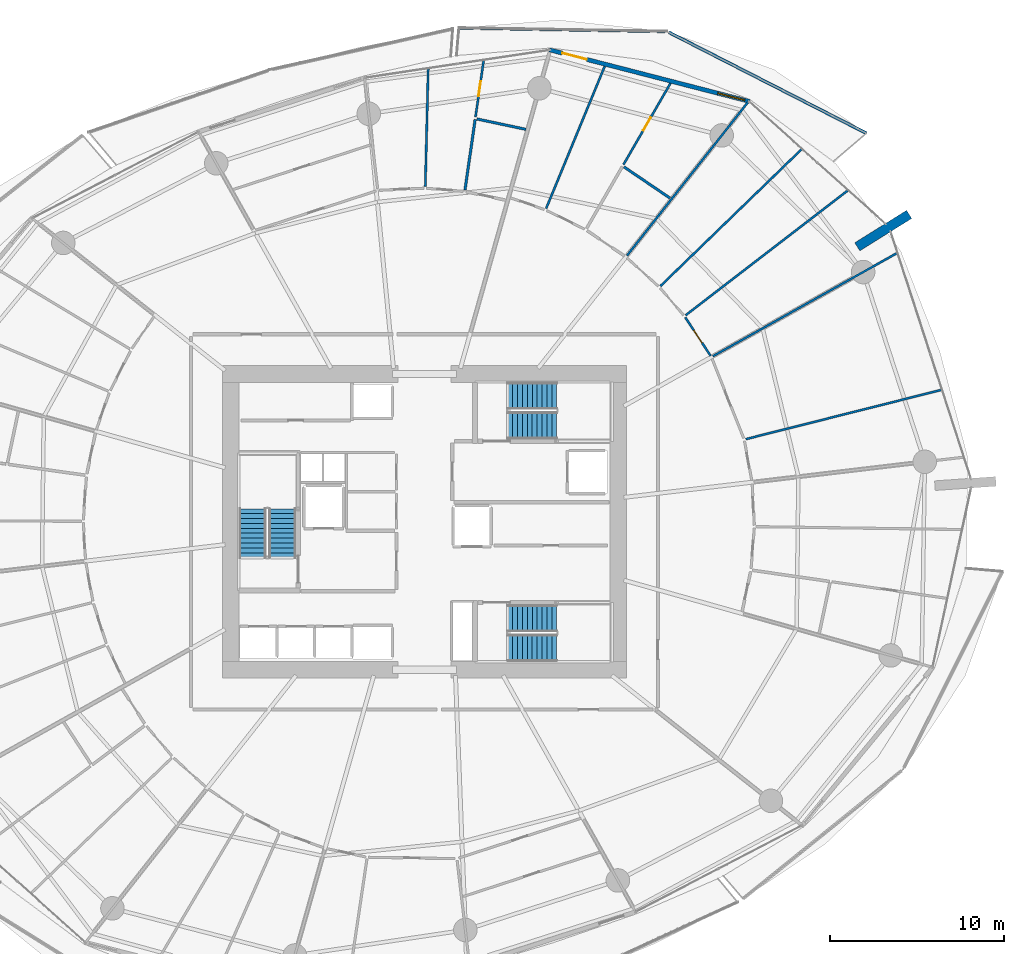
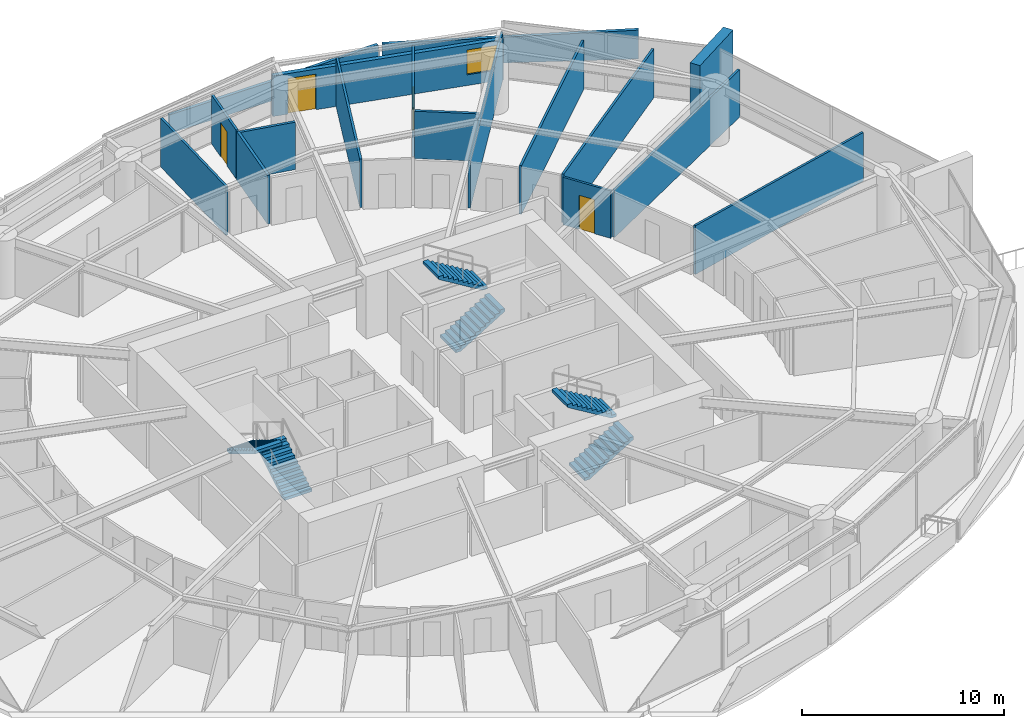
# One storey, part 24 of 31: 17 walls, 6 stair flights, 4 doors, 1 window, 5 openings, 3 elements without a shape of their own.
"""IFC4 building model written with IfcOpenShell, lengths in metres."""

from ifc_helpers import new_model, si_unit, direction, frame, frame_2d, origin, place, context, subcontext, project, spatial, polyline, rectangle, outline, extrude, material, layer, layer_set, type_object, element, fill, aggregate, save


model = new_model("IFC4")

# Units and contexts
model_context = context("Model", 3, precision=1e-05, world=origin(), true_north=direction((0.0, 1.0)))
body_context = subcontext(model_context, "Body", "Model", "MODEL_VIEW")
ifc_project = project(units=[si_unit("LENGTHUNIT", "METRE"), si_unit("AREAUNIT", "SQUARE_METRE"), si_unit("VOLUMEUNIT", "CUBIC_METRE"), si_unit("PLANEANGLEUNIT", "RADIAN"), si_unit("MASSUNIT", "GRAM", prefix="KILO")], contexts=[model_context])

# Site, building, storey
site_placement = place(None, origin())
site = spatial("IfcSite", under=ifc_project, at=site_placement, CompositionType="ELEMENT")
building_placement = place(site_placement, origin())
building = spatial("IfcBuilding", under=site, at=building_placement, Name="Kazma Halo Residences", CompositionType="ELEMENT")
storey_placement = place(building_placement, frame((0.0, 0.0, 48.89990234375)))
storey = spatial("IfcBuildingStorey", under=building, at=storey_placement, Name="L11", CompositionType="ELEMENT", Elevation=48.89990234375)

# Walls
ifc_material_1 = material(Name="White Concrete C50/60 Balustrade", Category="concrete")
ifc_layer_1 = layer(ifc_material_1, 0.179931640625)
ifc_layer_set_1 = layer_set([ifc_layer_1], Name="White Concrete C50/60 Balustrade")
wall_type_1 = type_object("IfcWallType", Name="WL-BAL-WAVE-180", PredefinedType="PARAPET", material=ifc_layer_set_1)
wall_1_placement = place(storey_placement, frame((73.753662109375, 64.269287109375, 0.0), z_axis=(0.0, 0.0, 1.0), x_axis=(-0.890402176463, 0.455174652359, 0.0)))
element("IfcWall", 1, at=wall_1_placement, inside=storey, type_object=wall_type_1, Name="L11 white wave balustrade wall NE.1", PredefinedType="PARAPET", context=body_context, shape_type="SweptSolid", body=[
    extrude(outline(polyline([(0.0, 0.0), (12.716796875, 0.0), (12.716796875, 1.34814453125), (6.3583984375, 1.56201171875), (0.0, 1.7470703125), (0.0, 0.0)])), frame((0.0, 0.08984375, 0.0), z_axis=(0.0, -1.0, 0.0), x_axis=(1.0, 0.0, 0.0)), (0.0, 0.0, 1.0), 0.179931640625),
])
wall_2_placement = place(storey_placement, frame((62.203857421875, 70.1142578125, 0.0), z_axis=(0.0, 0.0, 1.0), x_axis=(-0.999855793441, 0.016982117721, 0.0)))
element("IfcWall", 2, at=wall_2_placement, inside=storey, type_object=wall_type_1, Name="L11 white wave balustrade wall NE.2", PredefinedType="PARAPET", context=body_context, shape_type="SweptSolid", body=[
    extrude(outline(polyline([(0.0, 0.0), (11.802978515625, 0.0), (11.802978515625, 1.1201171875), (5.901611328125, 1.18212890625), (0.0, 1.34814453125), (0.0, 0.0)])), frame((0.0, 0.08984375, 0.0), z_axis=(0.0, -1.0, 0.0), x_axis=(1.0, 0.0, 0.0)), (0.0, 0.0, 1.0), 0.179931640625),
])
ifc_material_2 = material(Name="Pale Concrete C60/75", Category="concrete")
ifc_layer_2 = layer(ifc_material_2, 0.550048828125)
ifc_layer_set_2 = layer_set([ifc_layer_2], Name="Pale Concrete C60/75")
wall_type_2 = type_object("IfcWallType", Name="WL-BLADE-550", PredefinedType="SOLIDWALL", material=ifc_layer_set_2)
wall_3_placement = place(storey_placement, frame((73.229736328125, 57.765380859375, 0.0), z_axis=(0.0, 0.0, 1.0), x_axis=(0.848053161125, 0.529911158502, 0.0)))
element("IfcWall", 3, at=wall_3_placement, inside=storey, type_object=wall_type_2, Name="L11 pale concrete structural blade fin wall BW-01", PredefinedType="SOLIDWALL", context=body_context, shape_type="SweptSolid", body=[
    extrude(rectangle(XDim=3.5, YDim=0.550048828125, at=frame_2d((1.75, 0.0))), origin(), (0.0, 0.0, 1.0), 3.75),
])

# Wall, openings, door, window
ifc_material_3 = material(Name="Insulated Pale-Metal Composite Wall")
ifc_layer_3 = layer(ifc_material_3, 0.239990234375)
ifc_layer_set_3 = layer_set([ifc_layer_3], Name="Insulated Pale-Metal Composite Wall")
wall_type_3 = type_object("IfcWallType", Name="WL-EXT-HOST-240", PredefinedType="SOLIDWALL", material=ifc_layer_set_3)
wall_4_placement = place(storey_placement, frame((67.05419921875, 66.09619140625, 0.0), z_axis=(0.0, 0.0, 1.0), x_axis=(-0.96833871487, 0.249640007378, 0.0)))
wall_4 = element("IfcWall", 4, at=wall_4_placement, inside=storey, type_object=wall_type_3, Name="L11 exterior terrace-access wall B02", PredefinedType="SOLIDWALL", context=body_context, shape_type="SweptSolid", body=[
    extrude(rectangle(XDim=11.85107421875, YDim=0.239990234375, at=frame_2d((5.925537109375, 0.0))), origin(), (0.0, 0.0, 1.0), 2.4501953125),
])
opening_1_placement = place(wall_4_placement, frame((9.631103515625, 0.0, 0.0)))
opening_1 = element("IfcOpeningElement", 5, at=opening_1_placement, cuts=wall_4, Name="Opening DTR-1600", PredefinedType="OPENING", context=body_context, shape_type="SweptSolid", body=[
    extrude(rectangle(XDim=1.449951171875, YDim=2.14990234375, at=frame_2d((0.72509765625, 1.074951171875))), frame((0.0, 0.1298828125, 0.0), z_axis=(0.0, -1.0, 0.0), x_axis=(1.0, 0.0, 0.0)), (0.0, 0.0, 1.0), 0.260009765625),
])
opening_2_placement = place(wall_4_placement, frame((0.280029296875, 0.0, 0.64990234375)))
opening_2 = element("IfcOpeningElement", 6, at=opening_2_placement, cuts=wall_4, Name="Opening W-1800", PredefinedType="OPENING", context=body_context, shape_type="SweptSolid", body=[
    extrude(rectangle(XDim=1.60009765625, YDim=1.5, at=frame_2d((0.800048828125, 0.75))), frame((0.0, 0.1298828125, 0.0), z_axis=(0.0, -1.0, 0.0), x_axis=(1.0, 0.0, 0.0)), (0.0, 0.0, 1.0), 0.260009765625),
])
ifc_material_4 = material(Name="Aluminium AW-6063 T6 Double-Glazed Terrace Door", Category="aluminium")
door_type_1 = type_object("IfcDoorType", Name="DR-EXT-TERR-1600", OperationType="NOTDEFINED", PredefinedType="DOOR", material=ifc_material_4)
door_1_placement = place(opening_1_placement, origin())
door_1 = element("IfcDoor", 7, at=door_1_placement, inside=storey, type_object=door_type_1, Name="L11 B02 balcony terrace door", OperationType="DOUBLE_DOOR_SLIDING", OverallHeight=2.14990234375, OverallWidth=1.449951171875, PredefinedType="DOOR", context=body_context, shape_type="SweptSolid", body=[
    extrude(rectangle(XDim=1.449951171875, YDim=2.14990234375, at=frame_2d((0.72509765625, 1.074951171875))), frame((0.0, 0.02490234375, 0.0), z_axis=(0.0, -1.0, 0.0), x_axis=(1.0, 0.0, 0.0)), (0.0, 0.0, 1.0), 0.050048828125),
])
fill(opening_1, door_1)
ifc_material_5 = material(Name="Clear Triple-Silver Low-E Glass in Aluminium AW-6063 T6 Frame", Category="aluminium")
window_type = type_object("IfcWindowType", Name="WIN-RES-1800", PartitioningType="DOUBLE_PANEL_VERTICAL", PredefinedType="WINDOW", material=ifc_material_5)
window_placement = place(opening_2_placement, origin())
window = element("IfcWindow", 8, at=window_placement, inside=storey, type_object=window_type, Name="L11 B02 apartment window", OverallHeight=1.5, OverallWidth=1.60009765625, PartitioningType="SINGLE_PANEL", PredefinedType="WINDOW", context=body_context, shape_type="SweptSolid", body=[
    extrude(rectangle(XDim=1.60009765625, YDim=1.5, at=frame_2d((0.800048828125, 0.75))), frame((0.0, 0.030029296875, 0.0), z_axis=(0.0, -1.0, 0.0), x_axis=(1.0, 0.0, 0.0)), (0.0, 0.0, 1.0), 0.06005859375),
])
fill(opening_2, window)

# Wall, opening, door
ifc_material_6 = material(Name="Gypsum Plasterboard Partition")
ifc_layer_4 = layer(ifc_material_6, 0.125)
ifc_layer_set_4 = layer_set([ifc_layer_4], Name="Gypsum Plasterboard Partition")
wall_type_4 = type_object("IfcWallType", Name="WL-PART-125", PredefinedType="PARTITIONING", material=ifc_layer_set_4)
wall_5_placement = place(storey_placement, frame((51.348388671875, 65.19970703125, 0.0), z_axis=(0.0, 0.0, 1.0), x_axis=(0.142797074678, 0.989751986845, 0.0)))
wall_5 = element("IfcWall", 9, at=wall_5_placement, inside=storey, type_object=wall_type_4, Name="L11 Apartment 1 Utility Laundry Room partition wall", PredefinedType="PARTITIONING", context=body_context, shape_type="SweptSolid", body=[
    extrude(rectangle(XDim=3.279296875, YDim=0.125, at=frame_2d((1.6396484375, 0.0))), origin(), (0.0, 0.0, 1.0), 2.940185546875),
])
opening_3_placement = place(wall_5_placement, frame((1.214599609375, 0.0, 0.0)))
opening_3 = element("IfcOpeningElement", 10, at=opening_3_placement, cuts=wall_5, Name="Opening DB-900", PredefinedType="OPENING", context=body_context, shape_type="SweptSolid", body=[
    extrude(rectangle(XDim=0.85009765625, YDim=2.06005859375, at=frame_2d((0.425048828125, 1.030029296875))), frame((0.0, 0.072509765625, 0.0), z_axis=(0.0, -1.0, 0.0), x_axis=(1.0, 0.0, 0.0)), (0.0, 0.0, 1.0), 0.14501953125),
])
ifc_material_7 = material(Name="Moisture-Sealed Timber Leaf", Category="wood")
door_type_2 = type_object("IfcDoorType", Name="DR-BTH-900", OperationType="NOTDEFINED", PredefinedType="DOOR", material=ifc_material_7)
door_2_placement = place(opening_3_placement, origin())
door_2 = element("IfcDoor", 11, at=door_2_placement, inside=storey, type_object=door_type_2, Name="L11 Apartment 1 Utility Laundry Room door", OperationType="SINGLE_SWING_LEFT", OverallHeight=2.06005859375, OverallWidth=0.85009765625, PredefinedType="DOOR", context=body_context, shape_type="SweptSolid", body=[
    extrude(rectangle(XDim=0.85009765625, YDim=2.06005859375, at=frame_2d((0.425048828125, 1.030029296875))), frame((0.0, 0.02490234375, 0.0), z_axis=(0.0, -1.0, 0.0), x_axis=(1.0, 0.0, 0.0)), (0.0, 0.0, 1.0), 0.050048828125),
])
fill(opening_3, door_2)

# Walls
wall_6_placement = place(storey_placement, frame((48.47119140625, 61.21435546875, 0.0), z_axis=(0.0, 0.0, 1.0), x_axis=(0.024507226547, 0.999699652819, 0.0)))
element("IfcWall", 12, at=wall_6_placement, inside=storey, type_object=wall_type_4, Name="L11 Apartment 1 suite divider 2", PredefinedType="PARTITIONING", context=body_context, shape_type="SweptSolid", body=[
    extrude(rectangle(XDim=6.754150390625, YDim=0.125, at=frame_2d((3.376953125, 0.0))), origin(), (0.0, 0.0, 1.0), 2.940185546875),
])
wall_7_placement = place(storey_placement, frame((66.83544921875, 46.74169921875, 0.0), z_axis=(0.0, 0.0, 1.0), x_axis=(0.96974434054, 0.244122743698, 0.0)))
element("IfcWall", 13, at=wall_7_placement, inside=storey, type_object=wall_type_4, Name="L11 Apartment 3 mid-bay wall 15", PredefinedType="PARTITIONING", context=body_context, shape_type="SweptSolid", body=[
    extrude(rectangle(XDim=11.579833984375, YDim=0.125, at=frame_2d((5.7900390625, 0.0))), origin(), (0.0, 0.0, 1.0), 2.940185546875),
])
wall_8_placement = place(storey_placement, frame((64.955078125, 51.495361328125, 0.0), z_axis=(0.0, 0.0, 1.0), x_axis=(0.872499825659, 0.488614422857, 0.0)))
element("IfcWall", 14, at=wall_8_placement, inside=storey, type_object=wall_type_4, Name="L11 Apartment 3 radial partition 0", PredefinedType="PARTITIONING", context=body_context, shape_type="SweptSolid", body=[
    extrude(rectangle(XDim=12.105712890625, YDim=0.125, at=frame_2d((6.052734375, 0.0))), origin(), (0.0, 0.0, 1.0), 2.8671875),
])
wall_9_placement = place(storey_placement, frame((63.393798828125, 53.84423828125, 0.0), z_axis=(0.0, 0.0, 1.0), x_axis=(0.792561224619, 0.609792345992, 0.0)))
element("IfcWall", 15, at=wall_9_placement, inside=storey, type_object=wall_type_4, Name="L11 Apartment 3 bay wall 1 0", PredefinedType="PARTITIONING", context=body_context, shape_type="SweptSolid", body=[
    extrude(rectangle(XDim=11.713623046875, YDim=0.125, at=frame_2d((5.85693359375, 0.0))), origin(), (0.0, 0.0, 1.0), 2.940185546875),
])
wall_10_placement = place(storey_placement, frame((61.947998046875, 55.5166015625, 0.0), z_axis=(0.0, 0.0, 1.0), x_axis=(0.718127497198, 0.69591155887, 0.0)))
element("IfcWall", 16, at=wall_10_placement, inside=storey, type_object=wall_type_4, Name="L11 Apartment 3 bay wall 2 0", PredefinedType="PARTITIONING", context=body_context, shape_type="SweptSolid", body=[
    extrude(rectangle(XDim=11.26416015625, YDim=0.125, at=frame_2d((5.632080078125, 0.0))), origin(), (0.0, 0.0, 1.0), 2.940185546875),
])

# Wall, opening, door
wall_11_placement = place(storey_placement, frame((64.823974609375, 51.51318359375, 0.0), z_axis=(0.0, 0.0, 1.0), x_axis=(-0.550627570513, 0.834751027906, 0.0)))
wall_11 = element("IfcWall", 17, at=wall_11_placement, inside=storey, type_object=wall_type_4, Name="L11 Apartment 3 North Master Bedroom hall wall", PredefinedType="PARTITIONING", context=body_context, shape_type="SweptSolid", body=[
    extrude(rectangle(XDim=2.646484375, YDim=0.125, at=frame_2d((1.3232421875, 0.0))), origin(), (0.0, 0.0, 1.0), 2.8671875),
])
opening_4_placement = place(wall_11_placement, frame((0.898193359375, 0.0, 0.0)))
opening_4 = element("IfcOpeningElement", 18, at=opening_4_placement, cuts=wall_11, Name="Opening DB-900", PredefinedType="OPENING", context=body_context, shape_type="SweptSolid", body=[
    extrude(rectangle(XDim=0.85009765625, YDim=2.06005859375, at=frame_2d((0.425048828125, 1.030029296875))), frame((0.0, 0.072509765625, 0.0), z_axis=(0.0, -1.0, 0.0), x_axis=(1.0, 0.0, 0.0)), (0.0, 0.0, 1.0), 0.14501953125),
])
door_3_placement = place(opening_4_placement, origin())
door_3 = element("IfcDoor", 19, at=door_3_placement, inside=storey, type_object=door_type_2, Name="L11 Apartment 3 North Master Bedroom door", OperationType="SINGLE_SWING_LEFT", OverallHeight=2.06005859375, OverallWidth=0.85009765625, PredefinedType="DOOR", context=body_context, shape_type="SweptSolid", body=[
    extrude(rectangle(XDim=0.85009765625, YDim=2.06005859375, at=frame_2d((0.425048828125, 1.030029296875))), frame((0.0, 0.02490234375, 0.0), z_axis=(0.0, -1.0, 0.0), x_axis=(1.0, 0.0, 0.0)), (0.0, 0.0, 1.0), 0.050048828125),
])
fill(opening_4, door_3)

# Wall
wall_12_placement = place(storey_placement, frame((60.03076171875, 57.260986328125, 0.0), z_axis=(0.0, 0.0, 1.0), x_axis=(0.619090661436, 0.78531952282, 0.0)))
element("IfcWall", 20, at=wall_12_placement, inside=storey, type_object=wall_type_4, Name="L11 Apartment 3 radial partition 1", PredefinedType="PARTITIONING", context=body_context, shape_type="SweptSolid", body=[
    extrude(rectangle(XDim=11.241455078125, YDim=0.125, at=frame_2d((5.62060546875, 0.0))), origin(), (0.0, 0.0, 1.0), 2.8671875),
])

# Wall, opening, door
wall_13_placement = place(storey_placement, frame((59.826904296875, 62.472412109375, 0.0), z_axis=(0.0, 0.0, 1.0), x_axis=(0.500211191889, 0.865903437751, 0.0)))
wall_13 = element("IfcWall", 21, at=wall_13_placement, inside=storey, type_object=wall_type_4, Name="L11 Apartment 3 Corner Walk-In Wardrobe partition wall", PredefinedType="PARTITIONING", context=body_context, shape_type="SweptSolid", body=[
    extrude(rectangle(XDim=5.390380859375, YDim=0.125, at=frame_2d((2.6953125, 0.0))), origin(), (0.0, 0.0, 1.0), 2.940185546875),
])
opening_5_placement = place(wall_13_placement, frame((2.270263671875, 0.0, 0.0)))
opening_5 = element("IfcOpeningElement", 22, at=opening_5_placement, cuts=wall_13, Name="Opening DB-900", PredefinedType="OPENING", context=body_context, shape_type="SweptSolid", body=[
    extrude(rectangle(XDim=0.85009765625, YDim=2.06005859375, at=frame_2d((0.425048828125, 1.030029296875))), frame((0.0, 0.072509765625, 0.0), z_axis=(0.0, -1.0, 0.0), x_axis=(1.0, 0.0, 0.0)), (0.0, 0.0, 1.0), 0.14501953125),
])
door_4_placement = place(opening_5_placement, origin())
door_4 = element("IfcDoor", 23, at=door_4_placement, inside=storey, type_object=door_type_2, Name="L11 Apartment 3 Corner Walk-In Wardrobe door", OperationType="SINGLE_SWING_RIGHT", OverallHeight=2.06005859375, OverallWidth=0.85009765625, PredefinedType="DOOR", context=body_context, shape_type="SweptSolid", body=[
    extrude(rectangle(XDim=0.85009765625, YDim=2.06005859375, at=frame_2d((0.425048828125, 1.030029296875))), frame((0.0, 0.02490234375, 0.0), z_axis=(0.0, -1.0, 0.0), x_axis=(1.0, 0.0, 0.0)), (0.0, 0.0, 1.0), 0.050048828125),
])
fill(opening_5, door_4)

# Walls
wall_14_placement = place(storey_placement, frame((55.396240234375, 59.959716796875, 0.0), z_axis=(0.0, 0.0, 1.0), x_axis=(0.380799964435, 0.924657443103, 0.0)))
element("IfcWall", 24, at=wall_14_placement, inside=storey, type_object=wall_type_4, Name="L11 Apartment 3 suite divider 1", PredefinedType="PARTITIONING", context=body_context, shape_type="SweptSolid", body=[
    extrude(rectangle(XDim=8.81298828125, YDim=0.125, at=frame_2d((4.406494140625, 0.0))), origin(), (0.0, 0.0, 1.0), 2.940185546875),
])
ifc_material_8 = material(Name="Moisture-Resistant Gypsum")
ifc_layer_5 = layer(ifc_material_8, 0.14990234375)
ifc_layer_set_5 = layer_set([ifc_layer_5], Name="Moisture-Resistant Gypsum")
wall_type_5 = type_object("IfcWallType", Name="WL-WET-150", PredefinedType="PARTITIONING", material=ifc_layer_set_5)
wall_15_placement = place(storey_placement, frame((54.240234375, 64.494140625, 0.0), z_axis=(0.0, 0.0, 1.0), x_axis=(-0.978224736895, 0.207548462118, 0.0)))
element("IfcWall", 25, at=wall_15_placement, inside=storey, type_object=wall_type_5, Name="L11 Apartment 1 Guest Bathroom back wall", PredefinedType="PARTITIONING", context=body_context, shape_type="SweptSolid", body=[
    extrude(rectangle(XDim=2.879638671875, YDim=0.14990234375, at=frame_2d((1.43994140625, 0.0))), origin(), (0.0, 0.0, 1.0), 2.8671875),
])
wall_16_placement = place(storey_placement, frame((50.74560546875, 61.02294921875, 0.0), z_axis=(0.0, 0.0, 1.0), x_axis=(0.142791831245, 0.98975274333, 0.0)))
element("IfcWall", 26, at=wall_16_placement, inside=storey, type_object=wall_type_5, Name="L11 Apartment 1 Guest Bathroom side wall", PredefinedType="PARTITIONING", context=body_context, shape_type="SweptSolid", body=[
    extrude(rectangle(XDim=4.08984375, YDim=0.14990234375, at=frame_2d((2.044921875, 0.0))), origin(), (0.0, 0.0, 1.0), 2.940185546875),
])
wall_17_placement = place(storey_placement, frame((62.498779296875, 60.552734375, 0.0), z_axis=(0.0, 0.0, 1.0), x_axis=(-0.827754852397, 0.561089925354, 0.0)))
element("IfcWall", 27, at=wall_17_placement, inside=storey, type_object=wall_type_5, Name="L11 Apartment 3 Outer En-Suite Bathroom back wall", PredefinedType="PARTITIONING", context=body_context, shape_type="SweptSolid", body=[
    extrude(rectangle(XDim=3.1923828125, YDim=0.14990234375, at=frame_2d((1.59619140625, 0.0))), origin(), (0.0, 0.0, 1.0), 2.8671875),
])

# Stair, stair flights
ifc_material_9 = material(Name="Concrete C50/60", Category="concrete")
stair_type = type_object("IfcStairType", Name="STR-RES1", PredefinedType="HALF_TURN_STAIR", material=ifc_material_9)
stair_1_placement = place(storey_placement, origin())
stair_1 = element("IfcStair", 28, at=stair_1_placement, inside=storey, type_object=stair_type, Name="L11 Core exit stair ST-01", PredefinedType="HALF_TURN_STAIR")
stair_flight_type = type_object("IfcStairFlightType", Name="STR-RES1-FLT", PredefinedType="STRAIGHT", material=ifc_material_9)
stair_flight_1_placement = place(storey_placement, frame((40.27490234375, 39.949951171875, 0.0), z_axis=(0.0, 0.0, 1.0), x_axis=(0.0, 1.0, 0.0)))
stair_flight_1 = element("IfcStairFlight", 29, at=stair_flight_1_placement, type_object=stair_flight_type, Name="ST-01 flight 1", NumberOfRisers=11, NumberOfTreads=10, PredefinedType="STRAIGHT", RiserHeight=0.170454545, TreadLength=0.28, context=body_context, shape_type="SweptSolid", body=[
    extrude(outline(polyline([(0.0, 0.0), (0.0, 0.17041015625), (0.280029296875, 0.17041015625), (0.280029296875, 0.3408203125), (0.56005859375, 0.3408203125), (0.56005859375, 0.511474609375), (0.840087890625, 0.511474609375), (0.840087890625, 0.681884765625), (1.1201171875, 0.681884765625), (1.1201171875, 0.852294921875), (1.39990234375, 0.852294921875), (1.39990234375, 1.022705078125), (1.679931640625, 1.022705078125), (1.679931640625, 1.193115234375), (1.9599609375, 1.193115234375), (1.9599609375, 1.363525390625), (2.239990234375, 1.363525390625), (2.239990234375, 1.5341796875), (2.52001953125, 1.5341796875), (2.52001953125, 1.70458984375), (2.800048828125, 1.70458984375), (2.800048828125, 1.875), (2.800048828125, 1.529052734375), (0.288330078125, 0.0), (0.0, 0.0)])), frame((0.0, 0.77490234375, 0.0), z_axis=(0.0, -1.0, 0.0), x_axis=(1.0, 0.0, 0.0)), (0.0, 0.0, 1.0), 1.550048828125),
])
stair_flight_2_placement = place(storey_placement, frame((38.574951171875, 42.75, 1.875), z_axis=(0.0, 0.0, 1.0), x_axis=(0.0, -1.0, 0.0)))
stair_flight_2 = element("IfcStairFlight", 30, at=stair_flight_2_placement, type_object=stair_flight_type, Name="ST-01 flight 2", NumberOfRisers=11, NumberOfTreads=10, PredefinedType="STRAIGHT", RiserHeight=0.170454545, TreadLength=0.28, context=body_context, shape_type="SweptSolid", body=[
    extrude(outline(polyline([(0.0, 0.0), (0.0, 0.17041015625), (0.280029296875, 0.17041015625), (0.280029296875, 0.3408203125), (0.56005859375, 0.3408203125), (0.56005859375, 0.511474609375), (0.840087890625, 0.511474609375), (0.840087890625, 0.681884765625), (1.1201171875, 0.681884765625), (1.1201171875, 0.852294921875), (1.39990234375, 0.852294921875), (1.39990234375, 1.022705078125), (1.679931640625, 1.022705078125), (1.679931640625, 1.193115234375), (1.9599609375, 1.193115234375), (1.9599609375, 1.363525390625), (2.239990234375, 1.363525390625), (2.239990234375, 1.5341796875), (2.52001953125, 1.5341796875), (2.52001953125, 1.70458984375), (2.800048828125, 1.70458984375), (2.800048828125, 1.875), (2.800048828125, 1.529052734375), (0.288330078125, 0.0), (0.0, 0.0)])), frame((0.0, 0.77490234375, 0.0), z_axis=(0.0, -1.0, 0.0), x_axis=(1.0, 0.0, 0.0)), (0.0, 0.0, 1.0), 1.550048828125),
])
aggregate(stair_1, [stair_flight_1, stair_flight_2])

stair_2_placement = place(storey_placement, origin())
stair_2 = element("IfcStair", 31, at=stair_2_placement, inside=storey, type_object=stair_type, Name="L11 Core exit stair ST-02", PredefinedType="HALF_TURN_STAIR")
stair_flight_3_placement = place(storey_placement, frame((53.199951171875, 47.52490234375, 0.0), z_axis=(0.0, 0.0, 1.0), x_axis=(1.0, 0.0, 0.0)))
stair_flight_3 = element("IfcStairFlight", 32, at=stair_flight_3_placement, type_object=stair_flight_type, Name="ST-02 flight 1", NumberOfRisers=11, NumberOfTreads=10, PredefinedType="STRAIGHT", RiserHeight=0.170454545, TreadLength=0.28, context=body_context, shape_type="SweptSolid", body=[
    extrude(outline(polyline([(0.0, 0.0), (0.0, 0.17041015625), (0.280029296875, 0.17041015625), (0.280029296875, 0.3408203125), (0.56005859375, 0.3408203125), (0.56005859375, 0.511474609375), (0.840087890625, 0.511474609375), (0.840087890625, 0.681884765625), (1.1201171875, 0.681884765625), (1.1201171875, 0.852294921875), (1.39990234375, 0.852294921875), (1.39990234375, 1.022705078125), (1.679931640625, 1.022705078125), (1.679931640625, 1.193115234375), (1.9599609375, 1.193115234375), (1.9599609375, 1.363525390625), (2.239990234375, 1.363525390625), (2.239990234375, 1.5341796875), (2.52001953125, 1.5341796875), (2.52001953125, 1.70458984375), (2.800048828125, 1.70458984375), (2.800048828125, 1.875), (2.800048828125, 1.529052734375), (0.288330078125, 0.0), (0.0, 0.0)])), frame((0.0, 0.77490234375, 0.0), z_axis=(0.0, -1.0, 0.0), x_axis=(1.0, 0.0, 0.0)), (0.0, 0.0, 1.0), 1.550048828125),
])
stair_flight_4_placement = place(storey_placement, frame((56.0, 49.22509765625, 1.875), z_axis=(0.0, 0.0, 1.0), x_axis=(-1.0, 0.0, 0.0)))
stair_flight_4 = element("IfcStairFlight", 33, at=stair_flight_4_placement, type_object=stair_flight_type, Name="ST-02 flight 2", NumberOfRisers=11, NumberOfTreads=10, PredefinedType="STRAIGHT", RiserHeight=0.170454545, TreadLength=0.28, context=body_context, shape_type="SweptSolid", body=[
    extrude(outline(polyline([(0.0, 0.0), (0.0, 0.17041015625), (0.280029296875, 0.17041015625), (0.280029296875, 0.3408203125), (0.56005859375, 0.3408203125), (0.56005859375, 0.511474609375), (0.840087890625, 0.511474609375), (0.840087890625, 0.681884765625), (1.1201171875, 0.681884765625), (1.1201171875, 0.852294921875), (1.39990234375, 0.852294921875), (1.39990234375, 1.022705078125), (1.679931640625, 1.022705078125), (1.679931640625, 1.193115234375), (1.9599609375, 1.193115234375), (1.9599609375, 1.363525390625), (2.239990234375, 1.363525390625), (2.239990234375, 1.5341796875), (2.52001953125, 1.5341796875), (2.52001953125, 1.70458984375), (2.800048828125, 1.70458984375), (2.800048828125, 1.875), (2.800048828125, 1.529052734375), (0.288330078125, 0.0), (0.0, 0.0)])), frame((0.0, 0.77490234375, 0.0), z_axis=(0.0, -1.0, 0.0), x_axis=(1.0, 0.0, 0.0)), (0.0, 0.0, 1.0), 1.550048828125),
])
aggregate(stair_2, [stair_flight_3, stair_flight_4])

stair_3_placement = place(storey_placement, origin())
stair_3 = element("IfcStair", 34, at=stair_3_placement, inside=storey, type_object=stair_type, Name="L11 Core exit stair ST-03", PredefinedType="HALF_TURN_STAIR")
stair_flight_5_placement = place(storey_placement, frame((53.199951171875, 34.77490234375, 0.0), z_axis=(0.0, 0.0, 1.0), x_axis=(1.0, 0.0, 0.0)))
stair_flight_5 = element("IfcStairFlight", 35, at=stair_flight_5_placement, type_object=stair_flight_type, Name="ST-03 flight 1", NumberOfRisers=11, NumberOfTreads=10, PredefinedType="STRAIGHT", RiserHeight=0.170454545, TreadLength=0.28, context=body_context, shape_type="SweptSolid", body=[
    extrude(outline(polyline([(0.0, 0.0), (0.0, 0.17041015625), (0.280029296875, 0.17041015625), (0.280029296875, 0.3408203125), (0.56005859375, 0.3408203125), (0.56005859375, 0.511474609375), (0.840087890625, 0.511474609375), (0.840087890625, 0.681884765625), (1.1201171875, 0.681884765625), (1.1201171875, 0.852294921875), (1.39990234375, 0.852294921875), (1.39990234375, 1.022705078125), (1.679931640625, 1.022705078125), (1.679931640625, 1.193115234375), (1.9599609375, 1.193115234375), (1.9599609375, 1.363525390625), (2.239990234375, 1.363525390625), (2.239990234375, 1.5341796875), (2.52001953125, 1.5341796875), (2.52001953125, 1.70458984375), (2.800048828125, 1.70458984375), (2.800048828125, 1.875), (2.800048828125, 1.529052734375), (0.288330078125, 0.0), (0.0, 0.0)])), frame((0.0, 0.77490234375, 0.0), z_axis=(0.0, -1.0, 0.0), x_axis=(1.0, 0.0, 0.0)), (0.0, 0.0, 1.0), 1.550048828125),
])
stair_flight_6_placement = place(storey_placement, frame((56.0, 36.47509765625, 1.875), z_axis=(0.0, 0.0, 1.0), x_axis=(-1.0, 0.0, 0.0)))
stair_flight_6 = element("IfcStairFlight", 36, at=stair_flight_6_placement, type_object=stair_flight_type, Name="ST-03 flight 2", NumberOfRisers=11, NumberOfTreads=10, PredefinedType="STRAIGHT", RiserHeight=0.170454545, TreadLength=0.28, context=body_context, shape_type="SweptSolid", body=[
    extrude(outline(polyline([(0.0, 0.0), (0.0, 0.17041015625), (0.280029296875, 0.17041015625), (0.280029296875, 0.3408203125), (0.56005859375, 0.3408203125), (0.56005859375, 0.511474609375), (0.840087890625, 0.511474609375), (0.840087890625, 0.681884765625), (1.1201171875, 0.681884765625), (1.1201171875, 0.852294921875), (1.39990234375, 0.852294921875), (1.39990234375, 1.022705078125), (1.679931640625, 1.022705078125), (1.679931640625, 1.193115234375), (1.9599609375, 1.193115234375), (1.9599609375, 1.363525390625), (2.239990234375, 1.363525390625), (2.239990234375, 1.5341796875), (2.52001953125, 1.5341796875), (2.52001953125, 1.70458984375), (2.800048828125, 1.70458984375), (2.800048828125, 1.875), (2.800048828125, 1.529052734375), (0.288330078125, 0.0), (0.0, 0.0)])), frame((0.0, 0.77490234375, 0.0), z_axis=(0.0, -1.0, 0.0), x_axis=(1.0, 0.0, 0.0)), (0.0, 0.0, 1.0), 1.550048828125),
])
aggregate(stair_3, [stair_flight_5, stair_flight_6])

save(model, "model.ifc")
